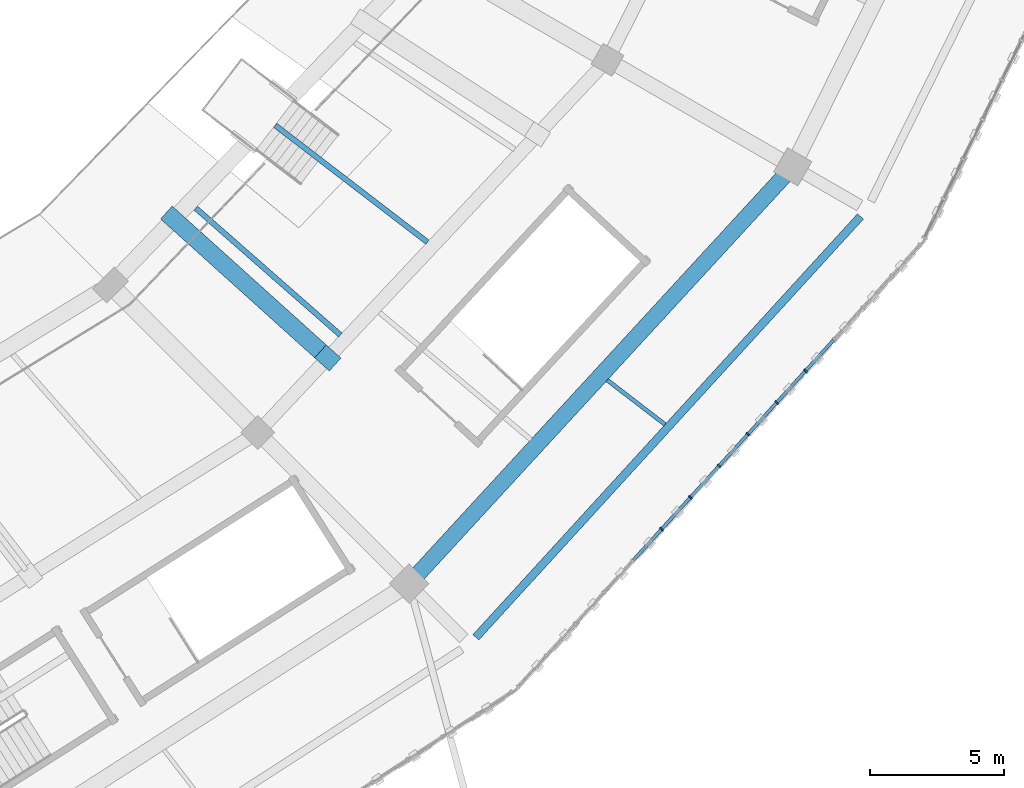
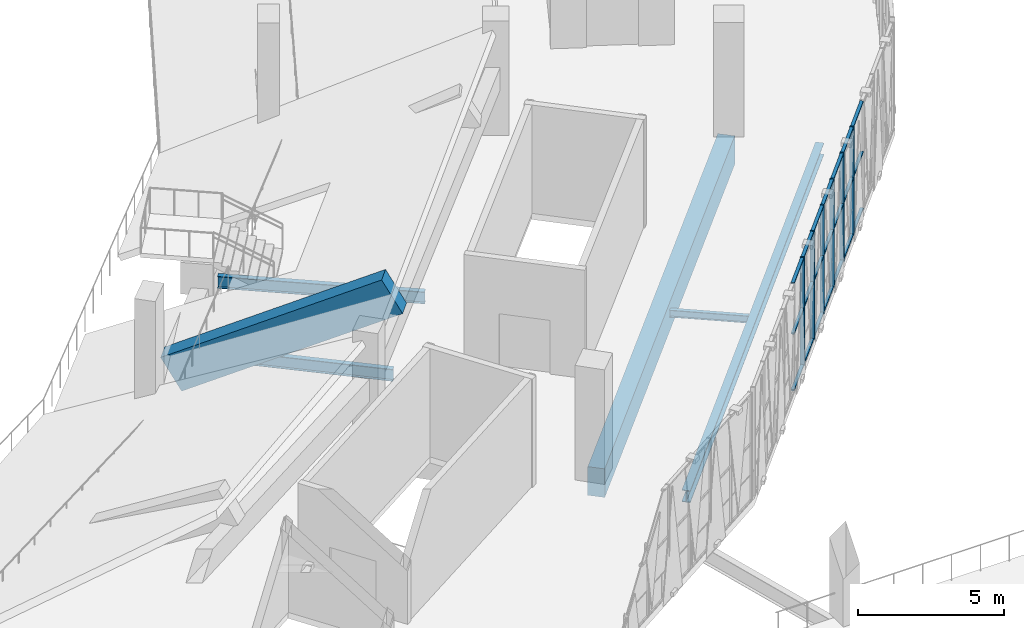
# One storey, part 31 of 152: 27 members, 6 beams, 1 element without a shape of its own.
"""IFC4 building model written with IfcOpenShell, lengths in metres."""

from ifc_helpers import new_model, si_unit, direction, frame, origin, origin_2d, place, context, subcontext, project, spatial, rectangle, i_section, extrude, material, material_profile, profile_set, type_object, element, aggregate, save


model = new_model("IFC4")

# Units and contexts
model_context = context("Model", 3, precision=1e-05, world=origin(), true_north=direction((0.0, 1.0)))
body_context = subcontext(model_context, "Body", "Model", "MODEL_VIEW")
ifc_project = project(units=[si_unit("LENGTHUNIT", "METRE"), si_unit("AREAUNIT", "SQUARE_METRE"), si_unit("VOLUMEUNIT", "CUBIC_METRE"), si_unit("PLANEANGLEUNIT", "RADIAN"), si_unit("MASSUNIT", "GRAM", prefix="KILO")], contexts=[model_context])

# Site, building, storey
site_placement = place(None, origin())
site = spatial("IfcSite", under=ifc_project, at=site_placement, CompositionType="ELEMENT")
building_placement = place(site_placement, origin())
building = spatial("IfcBuilding", under=site, at=building_placement, Name="Zevraka Park Crest Stadium", CompositionType="ELEMENT")
storey_placement = place(building_placement, frame((0.0, 0.0, 15.0)))
storey = spatial("IfcBuildingStorey", under=building, at=storey_placement, Name="L03", CompositionType="ELEMENT", Elevation=15.0)

# Curtain wall, members
ifc_material_1 = material(Name="Anodised architectural aluminium and laminated safety glass", Category="aluminium")
curtain_wall_type = type_object("IfcCurtainWallType", Name="CW13", PredefinedType="NOTDEFINED", material=ifc_material_1)
curtain_wall_placement = place(storey_placement, origin())
curtain_wall = element("IfcCurtainWall", 1, at=curtain_wall_placement, inside=storey, type_object=curtain_wall_type, Name="Unitised Ring Curtain Wall CW13 L03-21", PredefinedType="NOTDEFINED")
ifc_material_2 = material(Name="Anodised architectural aluminium", Category="aluminium")
ifc_material_profile_1 = material_profile(ifc_material_2, rectangle(XDim=0.159912109375, YDim=0.06005859375, at=origin_2d()), Name="ALU MULLION 160x60")
ifc_profile_set_1 = profile_set([ifc_material_profile_1], Name="Anodised architectural aluminium")
member_type_1 = type_object("IfcMemberType", Name="CM01", PredefinedType="MULLION", material=ifc_profile_set_1)
member_1_placement = place(storey_placement, frame((185.29833984375, 40.798583984375, 0.0), z_axis=(0.0, 0.0, 1.0), x_axis=(-0.739822878481, 0.672801685845, 0.0)))
member_1 = element("IfcMember", 2, at=member_1_placement, type_object=member_type_1, Name="CW13 mullion 6", PredefinedType="MULLION", context=body_context, shape_type="SweptSolid", body=[
    extrude(rectangle(XDim=0.159912109375, YDim=0.06005859375, at=origin_2d()), origin(), (0.0, 0.0, 1.0), 4.5400390625),
])
member_2_placement = place(storey_placement, frame((186.374755859375, 41.98193359375, 0.0), z_axis=(0.0, 0.0, 1.0), x_axis=(-0.739822878481, 0.672801685845, 0.0)))
member_2 = element("IfcMember", 3, at=member_2_placement, type_object=member_type_1, Name="CW13 mullion 7", PredefinedType="MULLION", context=body_context, shape_type="SweptSolid", body=[
    extrude(rectangle(XDim=0.159912109375, YDim=0.06005859375, at=origin_2d()), origin(), (0.0, 0.0, 1.0), 4.5400390625),
])
member_3_placement = place(storey_placement, frame((187.450927734375, 43.16552734375, 0.0), z_axis=(0.0, 0.0, 1.0), x_axis=(-0.739822878481, 0.672801685845, 0.0)))
member_3 = element("IfcMember", 4, at=member_3_placement, type_object=member_type_1, Name="CW13 mullion 8", PredefinedType="MULLION", context=body_context, shape_type="SweptSolid", body=[
    extrude(rectangle(XDim=0.159912109375, YDim=0.06005859375, at=origin_2d()), origin(), (0.0, 0.0, 1.0), 4.5400390625),
])
member_4_placement = place(storey_placement, frame((188.52734375, 44.34912109375, 0.0), z_axis=(0.0, 0.0, 1.0), x_axis=(-0.739822878481, 0.672801685845, 0.0)))
member_4 = element("IfcMember", 5, at=member_4_placement, type_object=member_type_1, Name="CW13 mullion 9", PredefinedType="MULLION", context=body_context, shape_type="SweptSolid", body=[
    extrude(rectangle(XDim=0.159912109375, YDim=0.06005859375, at=origin_2d()), origin(), (0.0, 0.0, 1.0), 4.5400390625),
])
member_5_placement = place(storey_placement, frame((189.603515625, 45.532470703125, 0.0), z_axis=(0.0, 0.0, 1.0), x_axis=(-0.739822878481, 0.672801685845, 0.0)))
member_5 = element("IfcMember", 6, at=member_5_placement, type_object=member_type_1, Name="CW13 mullion 10", PredefinedType="MULLION", context=body_context, shape_type="SweptSolid", body=[
    extrude(rectangle(XDim=0.159912109375, YDim=0.06005859375, at=origin_2d()), origin(), (0.0, 0.0, 1.0), 4.5400390625),
])
member_6_placement = place(storey_placement, frame((190.679931640625, 46.716064453125, 0.0), z_axis=(0.0, 0.0, 1.0), x_axis=(-0.739822878481, 0.672801685845, 0.0)))
member_6 = element("IfcMember", 7, at=member_6_placement, type_object=member_type_1, Name="CW13 mullion 11", PredefinedType="MULLION", context=body_context, shape_type="SweptSolid", body=[
    extrude(rectangle(XDim=0.159912109375, YDim=0.06005859375, at=origin_2d()), origin(), (0.0, 0.0, 1.0), 4.5400390625),
])
ifc_material_3 = material(Name="Anodised architectural aluminium", Category="aluminium")
ifc_material_profile_2 = material_profile(ifc_material_3, rectangle(XDim=0.1201171875, YDim=0.06005859375, at=origin_2d()), Name="ALU TRANSOM 120x60")
ifc_profile_set_2 = profile_set([ifc_material_profile_2], Name="Anodised architectural aluminium")
member_type_2 = type_object("IfcMemberType", Name="CT01", PredefinedType="USERDEFINED", material=ifc_profile_set_2)
member_7_placement = place(storey_placement, frame((184.242431640625, 39.63720703125, 0.030029296875), z_axis=(0.672775385986, 0.739846794959, 0.0), x_axis=(-0.739846794959, 0.672775385986, 0.0)))
member_7 = element("IfcMember", 8, at=member_7_placement, type_object=member_type_2, Name="CW13 transom 5.1", ObjectType="TRANSOM", PredefinedType="USERDEFINED", context=body_context, shape_type="SweptSolid", body=[
    extrude(rectangle(XDim=0.1201171875, YDim=0.06005859375, at=origin_2d()), origin(), (0.0, 0.0, 1.0), 1.539794921875),
])
member_8_placement = place(storey_placement, frame((184.242431640625, 39.63720703125, 2.39990234375), z_axis=(0.672775385986, 0.739846794959, 0.0), x_axis=(-0.739846794959, 0.672775385986, 0.0)))
member_8 = element("IfcMember", 9, at=member_8_placement, type_object=member_type_2, Name="CW13 transom 5.2", ObjectType="TRANSOM", PredefinedType="USERDEFINED", context=body_context, shape_type="SweptSolid", body=[
    extrude(rectangle(XDim=0.1201171875, YDim=0.06005859375, at=origin_2d()), origin(), (0.0, 0.0, 1.0), 1.539794921875),
])
member_9_placement = place(storey_placement, frame((184.242431640625, 39.63720703125, 4.510009765625), z_axis=(0.672775385986, 0.739846794959, 0.0), x_axis=(-0.739846794959, 0.672775385986, 0.0)))
member_9 = element("IfcMember", 10, at=member_9_placement, type_object=member_type_2, Name="CW13 transom 5.3", ObjectType="TRANSOM", PredefinedType="USERDEFINED", context=body_context, shape_type="SweptSolid", body=[
    extrude(rectangle(XDim=0.1201171875, YDim=0.06005859375, at=origin_2d()), origin(), (0.0, 0.0, 1.0), 1.539794921875),
])
member_10_placement = place(storey_placement, frame((185.318603515625, 40.82080078125, 0.030029296875), z_axis=(0.672854315392, 0.73977501327, 0.0), x_axis=(-0.73977501327, 0.672854315392, 0.0)))
member_10 = element("IfcMember", 11, at=member_10_placement, type_object=member_type_2, Name="CW13 transom 6.1", ObjectType="TRANSOM", PredefinedType="USERDEFINED", context=body_context, shape_type="SweptSolid", body=[
    extrude(rectangle(XDim=0.1201171875, YDim=0.06005859375, at=origin_2d()), origin(), (0.0, 0.0, 1.0), 1.53955078125),
])
member_11_placement = place(storey_placement, frame((185.318603515625, 40.82080078125, 2.39990234375), z_axis=(0.672854315392, 0.73977501327, 0.0), x_axis=(-0.73977501327, 0.672854315392, 0.0)))
member_11 = element("IfcMember", 12, at=member_11_placement, type_object=member_type_2, Name="CW13 transom 6.2", ObjectType="TRANSOM", PredefinedType="USERDEFINED", context=body_context, shape_type="SweptSolid", body=[
    extrude(rectangle(XDim=0.1201171875, YDim=0.06005859375, at=origin_2d()), origin(), (0.0, 0.0, 1.0), 1.53955078125),
])
member_12_placement = place(storey_placement, frame((185.318603515625, 40.82080078125, 4.510009765625), z_axis=(0.672854315392, 0.73977501327, 0.0), x_axis=(-0.73977501327, 0.672854315392, 0.0)))
member_12 = element("IfcMember", 13, at=member_12_placement, type_object=member_type_2, Name="CW13 transom 6.3", ObjectType="TRANSOM", PredefinedType="USERDEFINED", context=body_context, shape_type="SweptSolid", body=[
    extrude(rectangle(XDim=0.1201171875, YDim=0.06005859375, at=origin_2d()), origin(), (0.0, 0.0, 1.0), 1.53955078125),
])
member_13_placement = place(storey_placement, frame((186.39501953125, 42.004150390625, 0.030029296875), z_axis=(0.672775385986, 0.739846794959, 0.0), x_axis=(-0.739846794959, 0.672775385986, 0.0)))
member_13 = element("IfcMember", 14, at=member_13_placement, type_object=member_type_2, Name="CW13 transom 7.1", ObjectType="TRANSOM", PredefinedType="USERDEFINED", context=body_context, shape_type="SweptSolid", body=[
    extrude(rectangle(XDim=0.1201171875, YDim=0.06005859375, at=origin_2d()), origin(), (0.0, 0.0, 1.0), 1.539794921875),
])
member_14_placement = place(storey_placement, frame((186.39501953125, 42.004150390625, 2.39990234375), z_axis=(0.672775385986, 0.739846794959, 0.0), x_axis=(-0.739846794959, 0.672775385986, 0.0)))
member_14 = element("IfcMember", 15, at=member_14_placement, type_object=member_type_2, Name="CW13 transom 7.2", ObjectType="TRANSOM", PredefinedType="USERDEFINED", context=body_context, shape_type="SweptSolid", body=[
    extrude(rectangle(XDim=0.1201171875, YDim=0.06005859375, at=origin_2d()), origin(), (0.0, 0.0, 1.0), 1.539794921875),
])
member_15_placement = place(storey_placement, frame((186.39501953125, 42.004150390625, 4.510009765625), z_axis=(0.672775385986, 0.739846794959, 0.0), x_axis=(-0.739846794959, 0.672775385986, 0.0)))
member_15 = element("IfcMember", 16, at=member_15_placement, type_object=member_type_2, Name="CW13 transom 7.3", ObjectType="TRANSOM", PredefinedType="USERDEFINED", context=body_context, shape_type="SweptSolid", body=[
    extrude(rectangle(XDim=0.1201171875, YDim=0.06005859375, at=origin_2d()), origin(), (0.0, 0.0, 1.0), 1.539794921875),
])
member_16_placement = place(storey_placement, frame((187.47119140625, 43.187744140625, 0.030029296875), z_axis=(0.672775385986, 0.739846794959, 0.0), x_axis=(-0.739846794959, 0.672775385986, 0.0)))
member_16 = element("IfcMember", 17, at=member_16_placement, type_object=member_type_2, Name="CW13 transom 8.1", ObjectType="TRANSOM", PredefinedType="USERDEFINED", context=body_context, shape_type="SweptSolid", body=[
    extrude(rectangle(XDim=0.1201171875, YDim=0.06005859375, at=origin_2d()), origin(), (0.0, 0.0, 1.0), 1.539794921875),
])
member_17_placement = place(storey_placement, frame((187.47119140625, 43.187744140625, 2.39990234375), z_axis=(0.672775385986, 0.739846794959, 0.0), x_axis=(-0.739846794959, 0.672775385986, 0.0)))
member_17 = element("IfcMember", 18, at=member_17_placement, type_object=member_type_2, Name="CW13 transom 8.2", ObjectType="TRANSOM", PredefinedType="USERDEFINED", context=body_context, shape_type="SweptSolid", body=[
    extrude(rectangle(XDim=0.1201171875, YDim=0.06005859375, at=origin_2d()), origin(), (0.0, 0.0, 1.0), 1.539794921875),
])
member_18_placement = place(storey_placement, frame((187.47119140625, 43.187744140625, 4.510009765625), z_axis=(0.672775385986, 0.739846794959, 0.0), x_axis=(-0.739846794959, 0.672775385986, 0.0)))
member_18 = element("IfcMember", 19, at=member_18_placement, type_object=member_type_2, Name="CW13 transom 8.3", ObjectType="TRANSOM", PredefinedType="USERDEFINED", context=body_context, shape_type="SweptSolid", body=[
    extrude(rectangle(XDim=0.1201171875, YDim=0.06005859375, at=origin_2d()), origin(), (0.0, 0.0, 1.0), 1.539794921875),
])
member_19_placement = place(storey_placement, frame((188.54736328125, 44.37109375, 0.030029296875), z_axis=(0.672862164291, 0.739767874313, 0.0), x_axis=(-0.739767874313, 0.672862164291, 0.0)))
member_19 = element("IfcMember", 20, at=member_19_placement, type_object=member_type_2, Name="CW13 transom 9.1", ObjectType="TRANSOM", PredefinedType="USERDEFINED", context=body_context, shape_type="SweptSolid", body=[
    extrude(rectangle(XDim=0.1201171875, YDim=0.06005859375, at=origin_2d()), origin(), (0.0, 0.0, 1.0), 1.539794921875),
])
member_20_placement = place(storey_placement, frame((188.54736328125, 44.37109375, 2.39990234375), z_axis=(0.672862164291, 0.739767874313, 0.0), x_axis=(-0.739767874313, 0.672862164291, 0.0)))
member_20 = element("IfcMember", 21, at=member_20_placement, type_object=member_type_2, Name="CW13 transom 9.2", ObjectType="TRANSOM", PredefinedType="USERDEFINED", context=body_context, shape_type="SweptSolid", body=[
    extrude(rectangle(XDim=0.1201171875, YDim=0.06005859375, at=origin_2d()), origin(), (0.0, 0.0, 1.0), 1.539794921875),
])
member_21_placement = place(storey_placement, frame((188.54736328125, 44.37109375, 4.510009765625), z_axis=(0.672862164291, 0.739767874313, 0.0), x_axis=(-0.739767874313, 0.672862164291, 0.0)))
member_21 = element("IfcMember", 22, at=member_21_placement, type_object=member_type_2, Name="CW13 transom 9.3", ObjectType="TRANSOM", PredefinedType="USERDEFINED", context=body_context, shape_type="SweptSolid", body=[
    extrude(rectangle(XDim=0.1201171875, YDim=0.06005859375, at=origin_2d()), origin(), (0.0, 0.0, 1.0), 1.539794921875),
])
member_22_placement = place(storey_placement, frame((189.623779296875, 45.5546875, 0.030029296875), z_axis=(0.672775385986, 0.739846794959, 0.0), x_axis=(-0.739846794959, 0.672775385986, 0.0)))
member_22 = element("IfcMember", 23, at=member_22_placement, type_object=member_type_2, Name="CW13 transom 10.1", ObjectType="TRANSOM", PredefinedType="USERDEFINED", context=body_context, shape_type="SweptSolid", body=[
    extrude(rectangle(XDim=0.1201171875, YDim=0.06005859375, at=origin_2d()), origin(), (0.0, 0.0, 1.0), 1.539794921875),
])
member_23_placement = place(storey_placement, frame((189.623779296875, 45.5546875, 2.39990234375), z_axis=(0.672775385986, 0.739846794959, 0.0), x_axis=(-0.739846794959, 0.672775385986, 0.0)))
member_23 = element("IfcMember", 24, at=member_23_placement, type_object=member_type_2, Name="CW13 transom 10.2", ObjectType="TRANSOM", PredefinedType="USERDEFINED", context=body_context, shape_type="SweptSolid", body=[
    extrude(rectangle(XDim=0.1201171875, YDim=0.06005859375, at=origin_2d()), origin(), (0.0, 0.0, 1.0), 1.539794921875),
])
member_24_placement = place(storey_placement, frame((189.623779296875, 45.5546875, 4.510009765625), z_axis=(0.672775385986, 0.739846794959, 0.0), x_axis=(-0.739846794959, 0.672775385986, 0.0)))
member_24 = element("IfcMember", 25, at=member_24_placement, type_object=member_type_2, Name="CW13 transom 10.3", ObjectType="TRANSOM", PredefinedType="USERDEFINED", context=body_context, shape_type="SweptSolid", body=[
    extrude(rectangle(XDim=0.1201171875, YDim=0.06005859375, at=origin_2d()), origin(), (0.0, 0.0, 1.0), 1.539794921875),
])
member_25_placement = place(storey_placement, frame((190.699951171875, 46.73828125, 0.030029296875), z_axis=(0.672854315392, 0.73977501327, 0.0), x_axis=(-0.73977501327, 0.672854315392, 0.0)))
member_25 = element("IfcMember", 26, at=member_25_placement, type_object=member_type_2, Name="CW13 transom 11.1", ObjectType="TRANSOM", PredefinedType="USERDEFINED", context=body_context, shape_type="SweptSolid", body=[
    extrude(rectangle(XDim=0.1201171875, YDim=0.06005859375, at=origin_2d()), origin(), (0.0, 0.0, 1.0), 1.53955078125),
])
member_26_placement = place(storey_placement, frame((190.699951171875, 46.73828125, 2.39990234375), z_axis=(0.672854315392, 0.73977501327, 0.0), x_axis=(-0.73977501327, 0.672854315392, 0.0)))
member_26 = element("IfcMember", 27, at=member_26_placement, type_object=member_type_2, Name="CW13 transom 11.2", ObjectType="TRANSOM", PredefinedType="USERDEFINED", context=body_context, shape_type="SweptSolid", body=[
    extrude(rectangle(XDim=0.1201171875, YDim=0.06005859375, at=origin_2d()), origin(), (0.0, 0.0, 1.0), 1.53955078125),
])
member_27_placement = place(storey_placement, frame((190.699951171875, 46.73828125, 4.510009765625), z_axis=(0.672854315392, 0.73977501327, 0.0), x_axis=(-0.73977501327, 0.672854315392, 0.0)))
member_27 = element("IfcMember", 28, at=member_27_placement, type_object=member_type_2, Name="CW13 transom 11.3", ObjectType="TRANSOM", PredefinedType="USERDEFINED", context=body_context, shape_type="SweptSolid", body=[
    extrude(rectangle(XDim=0.1201171875, YDim=0.06005859375, at=origin_2d()), origin(), (0.0, 0.0, 1.0), 1.53955078125),
])
aggregate(curtain_wall, [member_1, member_2, member_3, member_4, member_5, member_6, member_7, member_8, member_9, member_10, member_11, member_12, member_13, member_14, member_15, member_16, member_17, member_18, member_19, member_20, member_21, member_22, member_23, member_24, member_25, member_26, member_27])

# Beams
ifc_material_4 = material(Name="Concrete C40/50", Category="concrete")
ifc_material_profile_3 = material_profile(ifc_material_4, rectangle(XDim=0.60009765625, YDim=1.199951171875, at=origin_2d()), Name="RC 1200x600")
ifc_profile_set_3 = profile_set([ifc_material_profile_3], Name="Concrete C40/50")
beam_type_1 = type_object("IfcBeamType", Name="RB01", PredefinedType="BEAM", material=ifc_profile_set_3)
beam_1_placement = place(storey_placement, frame((176.10888671875, 39.034912109375, -0.610107421875), z_axis=(0.677158252403, 0.735837414924, 0.0), x_axis=(-0.735837414924, 0.677158252403, 0.0)))
element("IfcBeam", 29, at=beam_1_placement, inside=storey, type_object=beam_type_1, Name="Ring Beam RB01 L03-D-21", PredefinedType="BEAM", context=body_context, shape_type="SweptSolid", body=[
    extrude(rectangle(XDim=0.60009765625, YDim=1.199951171875, at=origin_2d()), origin(), (0.0, 0.0, 1.0), 20.4326171875),
])
ifc_material_5 = material(Name="Steel S355", Category="steel")
ifc_material_profile_4 = material_profile(ifc_material_5, i_section(OverallWidth=0.300048828125, OverallDepth=0.5, WebThickness=0.014404296875, FlangeThickness=0.028076171875, at=origin_2d()), Name="HEB 500")
ifc_profile_set_4 = profile_set([ifc_material_profile_4], Name="Steel S355")
beam_type_2 = type_object("IfcBeamType", Name="RB05", PredefinedType="BEAM", material=ifc_profile_set_4)
beam_2_placement = place(storey_placement, frame((178.35009765625, 36.75, -0.60498046875), z_axis=(0.674624342029, 0.738161227065, 0.0), x_axis=(-0.738161227065, 0.674624342029, 0.0)))
element("IfcBeam", 30, at=beam_2_placement, inside=storey, type_object=beam_type_2, Name="Ring Beam RB05 L03-E-21", PredefinedType="BEAM", context=body_context, shape_type="SweptSolid", body=[
    extrude(i_section(OverallWidth=0.300048828125, OverallDepth=0.5, WebThickness=0.014404296875, FlangeThickness=0.028076171875, at=origin_2d()), origin(), (0.0, 0.0, 1.0), 21.325927734375),
])
ifc_material_6 = material(Name="Concrete C40/50", Category="concrete")
ifc_material_profile_5 = material_profile(ifc_material_6, rectangle(XDim=0.64990234375, YDim=1.5, at=origin_2d()), Name="RC 1500x650")
ifc_profile_set_5 = profile_set([ifc_material_profile_5], Name="Concrete C40/50")
beam_type_3 = type_object("IfcBeamType", Name="RK02", PredefinedType="BEAM", material=ifc_profile_set_5)
beam_3_placement = place(storey_placement, frame((167.047119140625, 52.39208984375, -0.800048828125), z_axis=(0.646991998411, -0.582810742945, 0.491663494578), x_axis=(0.669293285846, 0.742998315961, 0.0)))
element("IfcBeam", 31, at=beam_3_placement, inside=storey, type_object=beam_type_3, Name="Upper Bowl Main Raker Girder RK02 21-1", PredefinedType="BEAM", context=body_context, shape_type="SweptSolid", body=[
    extrude(rectangle(XDim=0.64990234375, YDim=1.5, at=origin_2d()), origin(), (0.0, 0.0, 1.0), 8.90869140625),
])
ifc_material_7 = material(Name="Steel S355", Category="steel")
ifc_material_profile_6 = material_profile(ifc_material_7, i_section(OverallWidth=0.14990234375, OverallDepth=0.300048828125, WebThickness=0.007080078125, FlangeThickness=0.0107421875, at=origin_2d()), Name="IPE 300")
ifc_profile_set_6 = profile_set([ifc_material_profile_6], Name="Steel S355")
beam_type_4 = type_object("IfcBeamType", Name="SJ01", PredefinedType="JOIST", material=ifc_profile_set_6)
beam_4_placement = place(storey_placement, frame((183.260986328125, 46.373046875, -0.4580078125), z_axis=(0.793128631587, -0.609054163238, 0.0), x_axis=(0.609054163238, 0.793128631587, 0.0)))
element("IfcBeam", 32, at=beam_4_placement, inside=storey, type_object=beam_type_4, Name="Floor Joist SJ01 L03-DE-21-1", PredefinedType="JOIST", context=body_context, shape_type="SweptSolid", body=[
    extrude(i_section(OverallWidth=0.14990234375, OverallDepth=0.300048828125, WebThickness=0.007080078125, FlangeThickness=0.0107421875, at=origin_2d()), origin(), (0.0, 0.0, 1.0), 2.732177734375),
])
ifc_material_8 = material(Name="Steel S355", Category="steel")
ifc_material_profile_7 = material_profile(ifc_material_8, i_section(OverallWidth=0.199951171875, OverallDepth=0.5, WebThickness=0.01025390625, FlangeThickness=0.01611328125, at=origin_2d()), Name="IPE 500")
ifc_profile_set_7 = profile_set([ifc_material_profile_7], Name="Steel S355")
beam_type_5 = type_object("IfcBeamType", Name="SJ10", PredefinedType="JOIST", material=ifc_profile_set_7)
beam_5_placement = place(storey_placement, frame((167.8759765625, 52.800048828125, -0.55810546875), z_axis=(0.751711566798, -0.65949201689, 0.0), x_axis=(0.65949201689, 0.751711566798, 0.0)))
element("IfcBeam", 33, at=beam_5_placement, inside=storey, type_object=beam_type_5, Name="Floor Joist SJ10 L03-BC-21-1", PredefinedType="JOIST", context=body_context, shape_type="SweptSolid", body=[
    extrude(i_section(OverallWidth=0.199951171875, OverallDepth=0.5, WebThickness=0.01025390625, FlangeThickness=0.01611328125, at=origin_2d()), origin(), (0.0, 0.0, 1.0), 7.190185546875),
])
beam_6_placement = place(storey_placement, frame((170.84912109375, 55.89697265625, -0.55810546875), z_axis=(0.793343347731, -0.608774451346, 0.0), x_axis=(0.608774451346, 0.793343347731, 0.0)))
element("IfcBeam", 34, at=beam_6_placement, inside=storey, type_object=beam_type_5, Name="Floor Joist SJ10 L03-BC-21-2", PredefinedType="JOIST", context=body_context, shape_type="SweptSolid", body=[
    extrude(i_section(OverallWidth=0.199951171875, OverallDepth=0.5, WebThickness=0.01025390625, FlangeThickness=0.01611328125, at=origin_2d()), origin(), (0.0, 0.0, 1.0), 7.17333984375),
])

save(model, "model.ifc")
